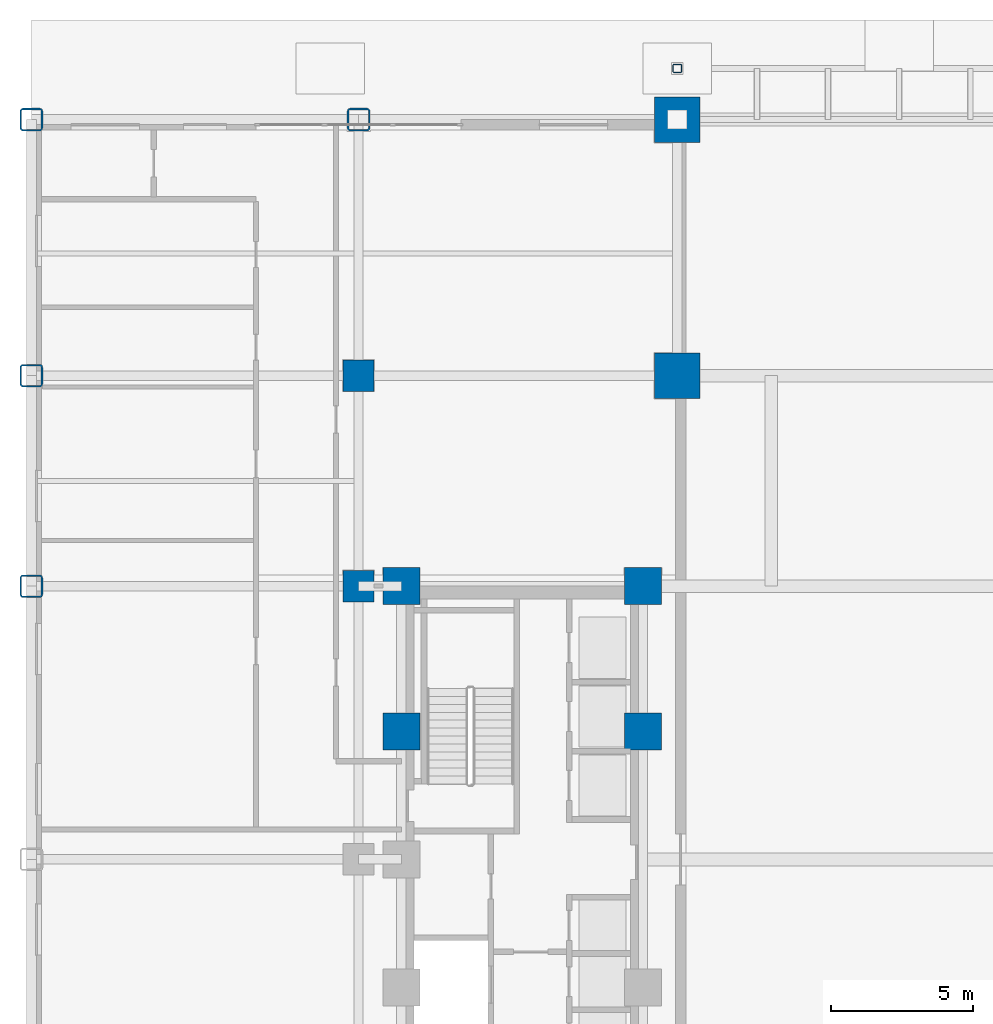
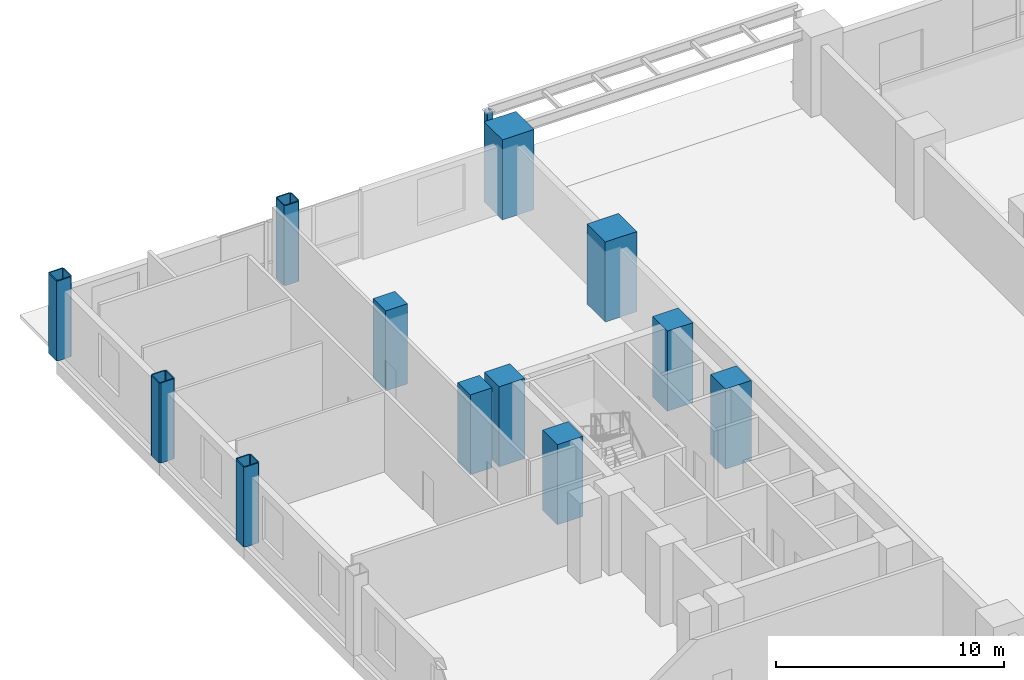
# One storey, part 4 of 20: 13 columns.
"""IFC4 building model written with IfcOpenShell, lengths in metres."""

from ifc_helpers import new_model, si_unit, direction, frame, origin, origin_2d, place, context, subcontext, project, spatial, rectangle, hollow_rectangle, extrude, material, material_profile, profile_set, type_object, element, save


model = new_model("IFC4")

# Units and contexts
model_context = context("Model", 3, precision=1e-05, world=origin(), true_north=direction((0.0, 1.0)))
body_context = subcontext(model_context, "Body", "Model", "MODEL_VIEW")
ifc_project = project(units=[si_unit("LENGTHUNIT", "METRE"), si_unit("AREAUNIT", "SQUARE_METRE"), si_unit("VOLUMEUNIT", "CUBIC_METRE"), si_unit("PLANEANGLEUNIT", "RADIAN"), si_unit("MASSUNIT", "GRAM", prefix="KILO")], contexts=[model_context])

# Site, building, storey
site_placement = place(None, origin())
site = spatial("IfcSite", under=ifc_project, at=site_placement, CompositionType="ELEMENT")
building_placement = place(site_placement, origin())
building = spatial("IfcBuilding", under=site, at=building_placement, Name="Nuvemarco Arch Tower", CompositionType="ELEMENT")
storey_placement = place(building_placement, origin())
storey = spatial("IfcBuildingStorey", under=building, at=storey_placement, Name="L00", CompositionType="ELEMENT", Elevation=0.0)

# Columns
ifc_material_1 = material(Name="Steel S355", Category="steel")
ifc_material_profile_1 = material_profile(ifc_material_1, hollow_rectangle(XDim=0.300048828125, YDim=0.300048828125, WallThickness=0.01611328125, InnerFilletRadius=0.01611328125, OuterFilletRadius=0.031982421875, at=origin_2d()), Name="SHS300x300x16")
ifc_profile_set_1 = profile_set([ifc_material_profile_1], Name="Steel S355")
column_type_1 = type_object("IfcColumnType", Name="COL-CANOPY-300", PredefinedType="COLUMN", material=ifc_profile_set_1)
column_placement = place(storey_placement, frame((-7.800048828125, 27.800048828125, 0.0), z_axis=(0.0, 0.0, 1.0), x_axis=(1.0, 0.0, 0.0)))
element("IfcColumn", 1, at=column_placement, inside=storey, type_object=column_type_1, Name="Portal arch canopy post N-W", PredefinedType="COLUMN", context=body_context, shape_type="SweptSolid", body=[
    extrude(hollow_rectangle(XDim=0.300048828125, YDim=0.300048828125, WallThickness=0.01611328125, InnerFilletRadius=0.01611328125, OuterFilletRadius=0.031982421875, at=origin_2d()), origin(), (0.0, 0.0, 1.0), 4.0),
])
ifc_material_2 = material(Name="Concrete C60/75", Category="concrete")
ifc_material_profile_2 = material_profile(ifc_material_2, rectangle(XDim=1.10009765625, YDim=1.10009765625, at=origin_2d()), Name="RC-COL-1100x1100")
ifc_profile_set_2 = profile_set([ifc_material_profile_2], Name="Concrete C60/75")
column_type_2 = type_object("IfcColumnType", Name="COL-CORE-1100", PredefinedType="COLUMN", material=ifc_profile_set_2)
for number, where, z_axis, x_axis, name in (
    (2, (-19.0, 9.60009765625, 0.0), (0.0, 0.0, 1.0), (1.0, 0.0, 0.0), "L00 column CP_-19.0_+9.6"),
    (3, (-19.0, 17.0, 0.0), (0.0, 0.0, 1.0), (1.0, 0.0, 0.0), "L00 column CP_-19.0_+17.0"),
):
    element("IfcColumn", number, at=place(storey_placement, frame(where, z_axis=z_axis, x_axis=x_axis)), inside=storey, type_object=column_type_2, Name=name, PredefinedType="COLUMN", context=body_context, shape_type="SweptSolid", body=[
        extrude(rectangle(XDim=1.10009765625, YDim=1.10009765625, at=origin_2d()), origin(), (0.0, 0.0, 1.0), 4.280029296875),
    ])
ifc_material_profile_3 = material_profile(ifc_material_2, rectangle(XDim=1.300048828125, YDim=1.300048828125, at=origin_2d()), Name="RC-COL-1300x1300")
ifc_profile_set_3 = profile_set([ifc_material_profile_3], Name="Concrete C60/75")
column_type_3 = type_object("IfcColumnType", Name="COL-CORE-1300", PredefinedType="COLUMN", material=ifc_profile_set_3)
for number, where, z_axis, x_axis, name in (
    (4, (-17.5, 4.5, 0.0), (0.0, 0.0, 1.0), (1.0, 0.0, 0.0), "L00 column CC_-17.5_+4.5"),
    (5, (-17.5, 9.60009765625, 0.0), (0.0, 0.0, 1.0), (1.0, 0.0, 0.0), "L00 column CC_-17.5_+9.6"),
    (6, (-9.0, 4.5, 0.0), (0.0, 0.0, 1.0), (1.0, 0.0, 0.0), "L00 column CC_-9.0_+4.5"),
    (7, (-9.0, 9.60009765625, 0.0), (0.0, 0.0, 1.0), (1.0, 0.0, 0.0), "L00 column CC_-9.0_+9.6"),
):
    element("IfcColumn", number, at=place(storey_placement, frame(where, z_axis=z_axis, x_axis=x_axis)), inside=storey, type_object=column_type_3, Name=name, PredefinedType="COLUMN", context=body_context, shape_type="SweptSolid", body=[
        extrude(rectangle(XDim=1.300048828125, YDim=1.300048828125, at=origin_2d()), origin(), (0.0, 0.0, 1.0), 4.280029296875),
    ])
ifc_material_3 = material(Name="Steel S460", Category="steel")
ifc_material_profile_4 = material_profile(ifc_material_3, hollow_rectangle(XDim=0.800048828125, YDim=0.800048828125, WallThickness=0.054931640625, InnerFilletRadius=0.054931640625, OuterFilletRadius=0.110107421875, at=origin_2d()), Name="SHS800x800x55")
ifc_profile_set_4 = profile_set([ifc_material_profile_4], Name="Steel S460")
column_type_4 = type_object("IfcColumnType", Name="COL-EXO-800", PredefinedType="COLUMN", material=ifc_profile_set_4)
for number, where, z_axis, x_axis, name in (
    (8, (-30.5, 9.60009765625, 0.0), (0.0, 0.0, 1.0), (1.0, 0.0, 0.0), "L00 column CP_-30.5_+9.6"),
    (9, (-30.5, 17.0, 0.0), (0.0, 0.0, 1.0), (1.0, 0.0, 0.0), "L00 column CP_-30.5_+17.0"),
    (10, (-30.5, 26.0, 0.0), (0.0, 0.0, 1.0), (1.0, 0.0, 0.0), "L00 column CP_-30.5_+26.0"),
    (11, (-19.0, 26.0, 0.0), (0.0, 0.0, 1.0), (1.0, 0.0, 0.0), "L00 column CP_-19.0_+26.0"),
):
    element("IfcColumn", number, at=place(storey_placement, frame(where, z_axis=z_axis, x_axis=x_axis)), inside=storey, type_object=column_type_4, Name=name, PredefinedType="COLUMN", context=body_context, shape_type="SweptSolid", body=[
        extrude(hollow_rectangle(XDim=0.800048828125, YDim=0.800048828125, WallThickness=0.054931640625, InnerFilletRadius=0.054931640625, OuterFilletRadius=0.110107421875, at=origin_2d()), origin(), (0.0, 0.0, 1.0), 4.280029296875),
    ])
ifc_material_profile_5 = material_profile(ifc_material_2, rectangle(XDim=1.60009765625, YDim=1.60009765625, at=origin_2d()), Name="RC-COL-1600x1600")
ifc_profile_set_5 = profile_set([ifc_material_profile_5], Name="Concrete C60/75")
column_type_5 = type_object("IfcColumnType", Name="COL-MEGA-1600-EXT", PredefinedType="COLUMN", material=ifc_profile_set_5)
for number, where, z_axis, x_axis, name in (
    (12, (-7.800048828125, 17.0, 0.0), (0.0, 0.0, 1.0), (1.0, 0.0, 0.0), "L00 column CM_-7.8_+17.0"),
    (13, (-7.800048828125, 26.0, 0.0), (0.0, 0.0, 1.0), (1.0, 0.0, 0.0), "L00 column CM_-7.8_+26.0"),
):
    element("IfcColumn", number, at=place(storey_placement, frame(where, z_axis=z_axis, x_axis=x_axis)), inside=storey, type_object=column_type_5, Name=name, PredefinedType="COLUMN", context=body_context, shape_type="SweptSolid", body=[
        extrude(rectangle(XDim=1.60009765625, YDim=1.60009765625, at=origin_2d()), origin(), (0.0, 0.0, 1.0), 4.280029296875),
    ])

save(model, "model.ifc")
